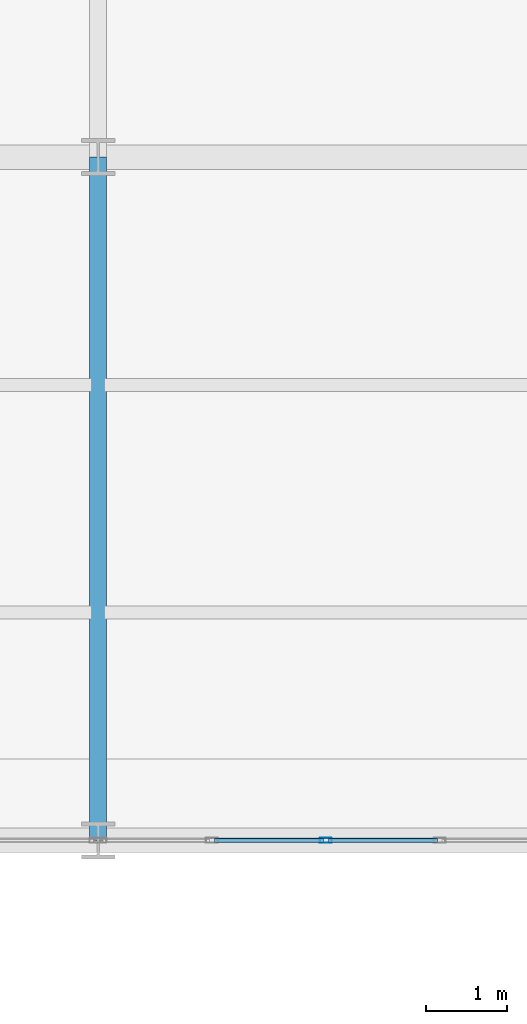
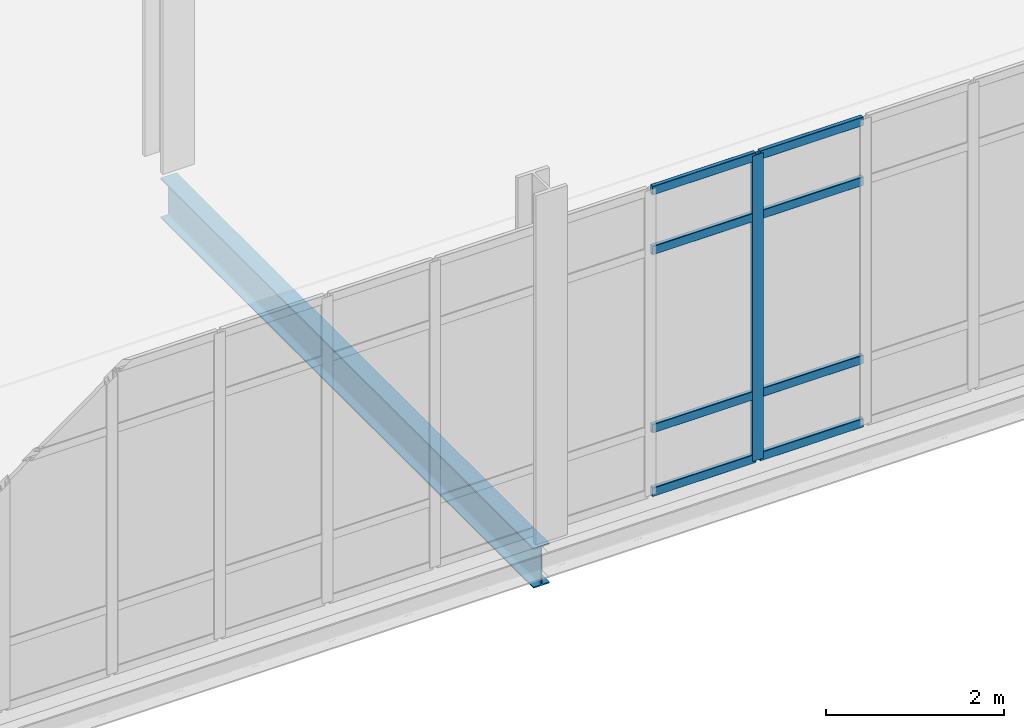
# One storey, part 73 of 145: 9 members, 1 beam, 1 element without a shape of its own.
"""IFC4 building model written with IfcOpenShell, lengths in metres."""

import ifcopenshell
import ifcopenshell.guid

model = None  # the IFC model being written
_history = None  # IfcOwnerHistory: only IFC2X3 demands one
_inside = {}  # id of a spatial element -> (the spatial element, [elements in it])
_under = {}  # id of a project, library or spatial element -> (it, [spatial elements below it])
_declared = {}  # id of a project -> (the project, [libraries it declares])
_typed = {}  # id of a type object -> (the type object, [elements of that type])
_made_of = {}  # id of a material, layer set ... -> (it, [elements and type objects made of it])


def new_model(schema):
    """Start an empty IFC model of exactly this schema.

    Asked for "IFC4X3", IfcOpenShell would pick the latest addendum, in which some entities
    have other attributes; the version numbers below select the first issue.
    IFC2X3 requires an IfcOwnerHistory on every rooted entity: one is made here for all.
    """
    global model, _history
    if schema == "IFC4X3":
        model = ifcopenshell.file(schema_version=(4, 3, 0, 0))
    else:
        model = ifcopenshell.file(schema=schema)
    _inside.clear()
    _under.clear()
    _declared.clear()
    _typed.clear()
    _made_of.clear()
    _history = None
    if model.schema == "IFC2X3":
        org = make("IfcOrganization", Name="unknown")
        user = make(
            "IfcPersonAndOrganization",
            ThePerson=make("IfcPerson", FamilyName="unknown"),
            TheOrganization=org,
        )
        app = make(
            "IfcApplication",
            ApplicationDeveloper=org,
            Version="unknown",
            ApplicationFullName="unknown",
            ApplicationIdentifier="unknown",
        )
        _history = make(
            "IfcOwnerHistory",
            OwningUser=user,
            OwningApplication=app,
            ChangeAction="ADDED",
            CreationDate=0,
        )
    return model


def make(cls, **values):
    """One entity of the class cls with the attributes given. An attribute that is None is left unset."""
    return model.create_entity(
        cls, **{name: value for name, value in values.items() if value is not None}
    )


def rooted(cls, **values):
    """An entity with a GlobalId (a new one), such as an element, a storey or a relation."""
    return make(cls, GlobalId=ifcopenshell.guid.new(), OwnerHistory=_history, **values)


def si_unit(unit_type, name, prefix=None):
    """IfcSIUnit, for example si_unit("LENGTHUNIT", "METRE", prefix="MILLI")."""
    return make("IfcSIUnit", UnitType=unit_type, Prefix=prefix, Name=name)


def assignment(units):
    """IfcUnitAssignment: the units of a project."""
    return None if units is None else make("IfcUnitAssignment", Units=units)


def point(xyz):
    """IfcCartesianPoint."""
    return None if xyz is None else make("IfcCartesianPoint", Coordinates=xyz)


def direction(xyz):
    """IfcDirection."""
    return None if xyz is None else make("IfcDirection", DirectionRatios=xyz)


def frame(location, z_axis=None, x_axis=None):
    """IfcAxis2Placement3D, a coordinate frame: its origin and axes. An axis left out is left unset."""
    return make(
        "IfcAxis2Placement3D",
        Location=point(location),
        Axis=direction(z_axis),
        RefDirection=direction(x_axis),
    )


def frame_2d(location, x_axis=None):
    """IfcAxis2Placement2D, a coordinate frame in the plane: its origin and x axis."""
    return make(
        "IfcAxis2Placement2D", Location=point(location), RefDirection=direction(x_axis)
    )


def origin():
    """The frame at (0, 0, 0) with its axes left unset."""
    return frame((0.0, 0.0, 0.0))


def origin_2d():
    """The frame at (0, 0) in the plane with its x axis left unset."""
    return frame_2d((0.0, 0.0))


def place(relative_to, where):
    """IfcLocalPlacement: puts the frame where relative to a parent placement (None: the world)."""
    return make(
        "IfcLocalPlacement", PlacementRelTo=relative_to, RelativePlacement=where
    )


def context(
    kind, dimensions, precision=None, world=None, true_north=None, identifier=None
):
    """IfcGeometricRepresentationContext, for example the 3D "Model" context."""
    return make(
        "IfcGeometricRepresentationContext",
        ContextIdentifier=identifier,
        ContextType=kind,
        CoordinateSpaceDimension=dimensions,
        Precision=precision,
        WorldCoordinateSystem=world,
        TrueNorth=true_north,
    )


def subcontext(parent, identifier, kind, view, scale=None):
    """IfcGeometricRepresentationSubContext, for example "Body" below "Model"."""
    return make(
        "IfcGeometricRepresentationSubContext",
        ContextIdentifier=identifier,
        ContextType=kind,
        ParentContext=parent,
        TargetScale=scale,
        TargetView=view,
    )


def project(units=None, contexts=None):
    """IfcProject with its units and contexts."""
    return rooted(
        "IfcProject",
        Name="project",
        RepresentationContexts=contexts,
        UnitsInContext=assignment(units),
    )


def spatial(cls, under=None, at=None, **own):
    """A site, building, storey or space (cls), placed at a placement, below another one or the project."""
    s = rooted(cls, ObjectPlacement=at, **own)
    if under is not None:
        _under.setdefault(under.id(), (under, []))[1].append(s)
    return s


def profile(cls, at=None, kind="AREA", **sizes):
    """A parametric profile (cls). Its sizes go by their IFC names, for example OverallWidth=200.0."""
    return make(cls, ProfileType=kind, Position=at, **sizes)


def hollow_rectangle(**sizes):
    """IfcRectangleHollowProfileDef."""
    return profile("IfcRectangleHollowProfileDef", **sizes)


def i_section(**sizes):
    """IfcIShapeProfileDef."""
    return profile("IfcIShapeProfileDef", **sizes)


def extrude(swept, where, along, depth):
    """IfcExtrudedAreaSolid: the profile swept, set in the frame where, extruded along a direction by depth."""
    return make(
        "IfcExtrudedAreaSolid",
        SweptArea=swept,
        Position=where,
        ExtrudedDirection=direction(along),
        Depth=depth,
    )


def shape(context_of_items, identifier, shape_type, items):
    """IfcShapeRepresentation: the items that make up one representation, for example the "Body"."""
    return make(
        "IfcShapeRepresentation",
        ContextOfItems=context_of_items,
        RepresentationIdentifier=identifier,
        RepresentationType=shape_type,
        Items=items,
    )


def material(Name=None, Category=None):
    """IfcMaterial."""
    return make("IfcMaterial", Name=Name, Category=Category)


def layer(
    of_material, thickness, ventilated=None, Name=None, Category=None, Priority=None
):
    """IfcMaterialLayer: one layer of a wall or slab, of a material (None: an air gap)."""
    return make(
        "IfcMaterialLayer",
        Material=of_material,
        LayerThickness=thickness,
        IsVentilated=ventilated,
        Name=Name,
        Category=Category,
        Priority=Priority,
    )


def layer_set(layers, Name=None):
    """IfcMaterialLayerSet."""
    return make("IfcMaterialLayerSet", MaterialLayers=layers, LayerSetName=Name)


def material_profile(
    of_material, cross_section, Name=None, Category=None, Priority=None
):
    """IfcMaterialProfile: a cross section and its material."""
    return make(
        "IfcMaterialProfile",
        Name=Name,
        Material=of_material,
        Profile=cross_section,
        Priority=Priority,
        Category=Category,
    )


def profile_set(profiles, Name=None, composite=None):
    """IfcMaterialProfileSet."""
    return make(
        "IfcMaterialProfileSet",
        Name=Name,
        MaterialProfiles=profiles,
        CompositeProfile=composite,
    )


def made_of(thing, what):
    """Note that an element or type object is made of a material, layer set ...; save() writes the relation."""
    if what is not None:
        _made_of.setdefault(what.id(), (what, []))[1].append(thing)
    return thing


def type_object(cls, material=None, **own):
    """A type object (cls), such as IfcWallType, which elements share."""
    return made_of(rooted(cls, **own), material)


def element(
    cls,
    number,
    at=None,
    inside=None,
    cuts=None,
    type_object=None,
    material=None,
    context=None,
    identifier="Body",
    shape_type=None,
    held_by="IfcProductDefinitionShape",
    body=None,
    shapes=None,
    **own,
):
    """One element of the class cls, such as IfcWall. Its Tag is "e" and its number.

    at: its placement. inside: the storey or other place that contains it. cuts: it is an
    opening in that element (IfcRelVoidsElement). A single representation is given by context,
    identifier, shape_type and body (its items); several are given by shapes. held_by: the class
    of the entity that holds the representations. save() writes the other relations.
    """
    e = rooted(cls, Tag="e%d" % number, ObjectPlacement=at, **own)
    if body is not None:
        shapes = [shape(context, identifier, shape_type, body)]
    if shapes is not None:
        e.Representation = make(held_by, Representations=shapes)
    if inside is not None:
        _inside.setdefault(inside.id(), (inside, []))[1].append(e)
    if cuts is not None:
        rooted(
            "IfcRelVoidsElement", RelatingBuildingElement=cuts, RelatedOpeningElement=e
        )
    if type_object is not None:
        _typed.setdefault(type_object.id(), (type_object, []))[1].append(e)
    return made_of(e, material)


def aggregate(whole, parts):
    """IfcRelAggregates: a whole, such as a stair, and the parts it consists of."""
    return rooted("IfcRelAggregates", RelatingObject=whole, RelatedObjects=parts)


def save(model, path):
    """Write the relations noted so far, then the file.

    IfcRelAggregates (storeys below a building ...), IfcRelContainedInSpatialStructure (elements
    in a storey), IfcRelDefinesByType, IfcRelAssociatesMaterial and IfcRelDeclares: one each for
    every whole, place, type object, material and project.
    """
    for whole, parts in _under.values():
        aggregate(whole, parts)
    for where, things in _inside.values():
        rooted(
            "IfcRelContainedInSpatialStructure",
            RelatedElements=things,
            RelatingStructure=where,
        )
    for kind, things in _typed.values():
        rooted("IfcRelDefinesByType", RelatedObjects=things, RelatingType=kind)
    for what, things in _made_of.values():
        rooted("IfcRelAssociatesMaterial", RelatedObjects=things, RelatingMaterial=what)
    for by, libraries in _declared.values():
        rooted("IfcRelDeclares", RelatingContext=by, RelatedDefinitions=libraries)
    model.write(path)


model = new_model("IFC4")

# Units and contexts
model_context = context("Model", 3, precision=1e-05, world=origin(), true_north=direction((0.0, 1.0)))
body_context = subcontext(model_context, "Body", "Model", "MODEL_VIEW")
ifc_project = project(units=[si_unit("LENGTHUNIT", "METRE"), si_unit("AREAUNIT", "SQUARE_METRE"), si_unit("VOLUMEUNIT", "CUBIC_METRE"), si_unit("PLANEANGLEUNIT", "RADIAN"), si_unit("MASSUNIT", "GRAM", prefix="KILO")], contexts=[model_context])

# Site, building, storey
site_placement = place(None, origin())
site = spatial("IfcSite", under=ifc_project, at=site_placement, CompositionType="ELEMENT")
building_placement = place(site_placement, origin())
building = spatial("IfcBuilding", under=site, at=building_placement, Name="Qalvenar Corner Mobility Hub", CompositionType="ELEMENT")
storey_placement = place(building_placement, origin())
storey = spatial("IfcBuildingStorey", under=building, at=storey_placement, Name="L00", CompositionType="ELEMENT", Elevation=0.0)

# Beam
ifc_material_1 = material(Name="Steel S355", Category="steel")
ifc_material_profile_1 = material_profile(ifc_material_1, i_section(OverallWidth=0.2099609375, OverallDepth=0.550048828125, WebThickness=0.010986328125, FlangeThickness=0.01708984375, FilletRadius=0.02392578125, at=origin_2d()), Name="IPE550")
ifc_profile_set_1 = profile_set([ifc_material_profile_1], Name="Steel S355")
beam_type = type_object("IfcBeamType", Name="BM-IPE550", PredefinedType="BEAM", material=ifc_profile_set_1)
beam_placement = place(storey_placement, frame((75.60009765625, 67.199951171875, -0.4951171875), z_axis=(0.0, 1.0, 0.0), x_axis=(-1.0, 0.0, 0.0)))
element("IfcBeam", 1, at=beam_placement, inside=storey, type_object=beam_type, Name="Primary Steel Girder GY-0599", PredefinedType="BEAM", context=body_context, shape_type="SweptSolid", body=[
    extrude(i_section(OverallWidth=0.2099609375, OverallDepth=0.550048828125, WebThickness=0.010986328125, FlangeThickness=0.01708984375, FilletRadius=0.02392578125, at=origin_2d()), origin(), (0.0, 0.0, 1.0), 8.400146484375),
])

# Curtain wall, members
ifc_material_2 = material(Name="Anodised Aluminium and Low-E Glazing", Category="aluminium")
ifc_layer = layer(ifc_material_2, 0.14990234375)
ifc_layer_set = layer_set([ifc_layer], Name="Anodised Aluminium and Low-E Glazing")
curtain_wall_type = type_object("IfcCurtainWallType", Name="CW-MOB-84X46", PredefinedType="NOTDEFINED", material=ifc_layer_set)
curtain_wall_placement = place(storey_placement, origin())
curtain_wall = element("IfcCurtainWall", 2, at=curtain_wall_placement, inside=storey, type_object=curtain_wall_type, Name="Glazed Curtain Wall CW-V4-L00-S2", PredefinedType="NOTDEFINED")
ifc_material_3 = material(Name="Anodised Aluminium 6063-T6", Category="aluminium")
ifc_material_profile_2 = material_profile(ifc_material_3, hollow_rectangle(XDim=0.06005859375, YDim=0.14990234375, WallThickness=0.00390625, InnerFilletRadius=0.00390625, OuterFilletRadius=0.008056640625, at=origin_2d()), Name="RHS150x60x4")
ifc_profile_set_2 = profile_set([ifc_material_profile_2], Name="Anodised Aluminium 6063-T6")
member_type_1 = type_object("IfcMemberType", Name="CW-MUL150", PredefinedType="MULLION", material=ifc_profile_set_2)
member_1_placement = place(storey_placement, frame((78.39990234375, 67.199951171875, 0.0), z_axis=(0.0, 0.0, 1.0), x_axis=(0.0, 1.0, 0.0)))
member_1 = element("IfcMember", 3, at=member_1_placement, type_object=member_type_1, Name="CW-03 mullion 3", PredefinedType="MULLION", context=body_context, shape_type="SweptSolid", body=[
    extrude(hollow_rectangle(XDim=0.06005859375, YDim=0.14990234375, WallThickness=0.00390625, InnerFilletRadius=0.00390625, OuterFilletRadius=0.008056640625, at=origin_2d()), origin(), (0.0, 0.0, 1.0), 4.199951171875),
])
ifc_material_profile_3 = material_profile(ifc_material_3, hollow_rectangle(XDim=0.054931640625, YDim=0.1201171875, WallThickness=0.00341796875, InnerFilletRadius=0.00341796875, OuterFilletRadius=0.007080078125, at=origin_2d()), Name="RHS120x55x3.5")
ifc_profile_set_3 = profile_set([ifc_material_profile_3], Name="Anodised Aluminium 6063-T6")
member_type_2 = type_object("IfcMemberType", Name="CW-TRN120", PredefinedType="USERDEFINED", material=ifc_profile_set_3)
member_2_placement = place(storey_placement, frame((77.030029296875, 67.199951171875, 0.027587890625), z_axis=(1.0, 0.0, 0.0), x_axis=(0.0, 1.0, 0.0)))
member_2 = element("IfcMember", 4, at=member_2_placement, type_object=member_type_2, Name="CW-03 transom 2.1", ObjectType="TRANSOM", PredefinedType="USERDEFINED", context=body_context, shape_type="SweptSolid", body=[
    extrude(hollow_rectangle(XDim=0.054931640625, YDim=0.1201171875, WallThickness=0.00341796875, InnerFilletRadius=0.00341796875, OuterFilletRadius=0.007080078125, at=origin_2d()), origin(), (0.0, 0.0, 1.0), 1.340087890625),
])
member_3_placement = place(storey_placement, frame((77.030029296875, 67.199951171875, 0.89990234375), z_axis=(1.0, 0.0, 0.0), x_axis=(0.0, 1.0, 0.0)))
member_3 = element("IfcMember", 5, at=member_3_placement, type_object=member_type_2, Name="CW-03 transom 2.2", ObjectType="TRANSOM", PredefinedType="USERDEFINED", context=body_context, shape_type="SweptSolid", body=[
    extrude(hollow_rectangle(XDim=0.054931640625, YDim=0.1201171875, WallThickness=0.00341796875, InnerFilletRadius=0.00341796875, OuterFilletRadius=0.007080078125, at=origin_2d()), origin(), (0.0, 0.0, 1.0), 1.340087890625),
])
member_4_placement = place(storey_placement, frame((77.030029296875, 67.199951171875, 3.35009765625), z_axis=(1.0, 0.0, 0.0), x_axis=(0.0, 1.0, 0.0)))
member_4 = element("IfcMember", 6, at=member_4_placement, type_object=member_type_2, Name="CW-03 transom 2.3", ObjectType="TRANSOM", PredefinedType="USERDEFINED", context=body_context, shape_type="SweptSolid", body=[
    extrude(hollow_rectangle(XDim=0.054931640625, YDim=0.1201171875, WallThickness=0.00341796875, InnerFilletRadius=0.00341796875, OuterFilletRadius=0.007080078125, at=origin_2d()), origin(), (0.0, 0.0, 1.0), 1.340087890625),
])
member_5_placement = place(storey_placement, frame((77.030029296875, 67.199951171875, 4.172607421875), z_axis=(1.0, 0.0, 0.0), x_axis=(0.0, 1.0, 0.0)))
member_5 = element("IfcMember", 7, at=member_5_placement, type_object=member_type_2, Name="CW-03 transom 2.4", ObjectType="TRANSOM", PredefinedType="USERDEFINED", context=body_context, shape_type="SweptSolid", body=[
    extrude(hollow_rectangle(XDim=0.054931640625, YDim=0.1201171875, WallThickness=0.00341796875, InnerFilletRadius=0.00341796875, OuterFilletRadius=0.007080078125, at=origin_2d()), origin(), (0.0, 0.0, 1.0), 1.340087890625),
])
member_6_placement = place(storey_placement, frame((78.429931640625, 67.199951171875, 0.027587890625), z_axis=(1.0, 0.0, 0.0), x_axis=(0.0, 1.0, 0.0)))
member_6 = element("IfcMember", 8, at=member_6_placement, type_object=member_type_2, Name="CW-03 transom 3.1", ObjectType="TRANSOM", PredefinedType="USERDEFINED", context=body_context, shape_type="SweptSolid", body=[
    extrude(hollow_rectangle(XDim=0.054931640625, YDim=0.1201171875, WallThickness=0.00341796875, InnerFilletRadius=0.00341796875, OuterFilletRadius=0.007080078125, at=origin_2d()), origin(), (0.0, 0.0, 1.0), 1.340087890625),
])
member_7_placement = place(storey_placement, frame((78.429931640625, 67.199951171875, 0.89990234375), z_axis=(1.0, 0.0, 0.0), x_axis=(0.0, 1.0, 0.0)))
member_7 = element("IfcMember", 9, at=member_7_placement, type_object=member_type_2, Name="CW-03 transom 3.2", ObjectType="TRANSOM", PredefinedType="USERDEFINED", context=body_context, shape_type="SweptSolid", body=[
    extrude(hollow_rectangle(XDim=0.054931640625, YDim=0.1201171875, WallThickness=0.00341796875, InnerFilletRadius=0.00341796875, OuterFilletRadius=0.007080078125, at=origin_2d()), origin(), (0.0, 0.0, 1.0), 1.340087890625),
])
member_8_placement = place(storey_placement, frame((78.429931640625, 67.199951171875, 3.35009765625), z_axis=(1.0, 0.0, 0.0), x_axis=(0.0, 1.0, 0.0)))
member_8 = element("IfcMember", 10, at=member_8_placement, type_object=member_type_2, Name="CW-03 transom 3.3", ObjectType="TRANSOM", PredefinedType="USERDEFINED", context=body_context, shape_type="SweptSolid", body=[
    extrude(hollow_rectangle(XDim=0.054931640625, YDim=0.1201171875, WallThickness=0.00341796875, InnerFilletRadius=0.00341796875, OuterFilletRadius=0.007080078125, at=origin_2d()), origin(), (0.0, 0.0, 1.0), 1.340087890625),
])
member_9_placement = place(storey_placement, frame((78.429931640625, 67.199951171875, 4.172607421875), z_axis=(1.0, 0.0, 0.0), x_axis=(0.0, 1.0, 0.0)))
member_9 = element("IfcMember", 11, at=member_9_placement, type_object=member_type_2, Name="CW-03 transom 3.4", ObjectType="TRANSOM", PredefinedType="USERDEFINED", context=body_context, shape_type="SweptSolid", body=[
    extrude(hollow_rectangle(XDim=0.054931640625, YDim=0.1201171875, WallThickness=0.00341796875, InnerFilletRadius=0.00341796875, OuterFilletRadius=0.007080078125, at=origin_2d()), origin(), (0.0, 0.0, 1.0), 1.340087890625),
])
aggregate(curtain_wall, [member_1, member_2, member_3, member_4, member_5, member_6, member_7, member_8, member_9])

save(model, "model.ifc")
